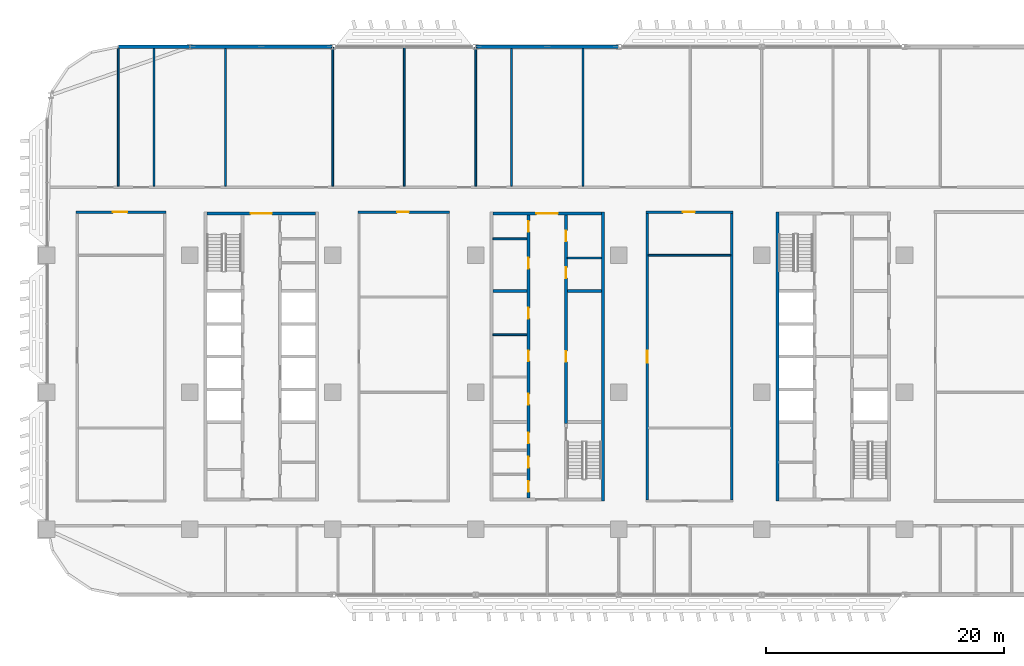
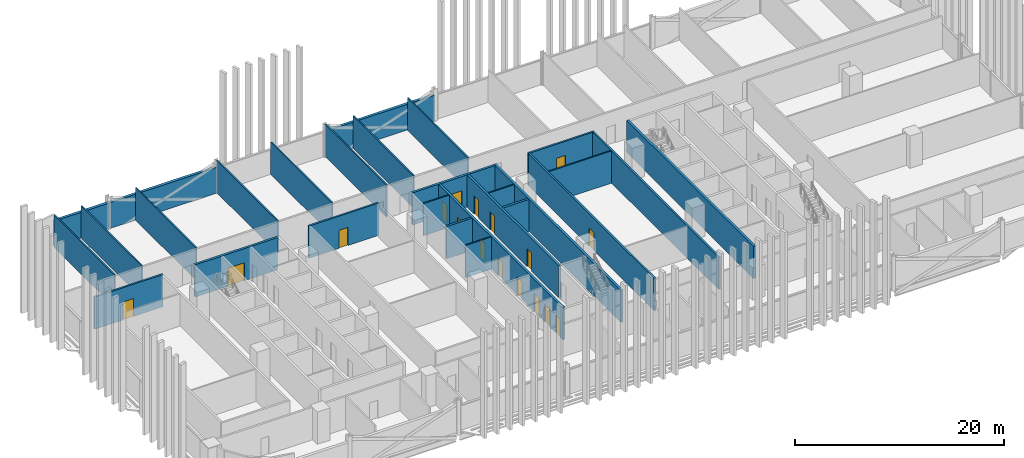
# One storey, part 14 of 31: 28 walls, 17 doors, 17 openings.
"""IFC4 building model written with IfcOpenShell, lengths in metres."""

from ifc_helpers import new_model, si_unit, direction, frame, frame_2d, origin, place, context, subcontext, project, spatial, rectangle, extrude, material, layer, layer_set, type_object, element, fill, save


model = new_model("IFC4")

# Units and contexts
model_context = context("Model", 3, precision=1e-05, world=origin(), true_north=direction((0.0, 1.0)))
body_context = subcontext(model_context, "Body", "Model", "MODEL_VIEW")
ifc_project = project(units=[si_unit("LENGTHUNIT", "METRE"), si_unit("AREAUNIT", "SQUARE_METRE"), si_unit("VOLUMEUNIT", "CUBIC_METRE"), si_unit("PLANEANGLEUNIT", "RADIAN"), si_unit("MASSUNIT", "GRAM", prefix="KILO")], contexts=[model_context])

# Site, building, storey
site_placement = place(None, origin())
site = spatial("IfcSite", under=ifc_project, at=site_placement, CompositionType="ELEMENT")
building_placement = place(site_placement, origin())
building = spatial("IfcBuilding", under=site, at=building_placement, Name="Mahtab Terrace Research Tower", CompositionType="ELEMENT")
storey_placement = place(building_placement, frame((0.0, 0.0, 101.199951171875)))
storey = spatial("IfcBuildingStorey", under=building, at=storey_placement, Name="L23", CompositionType="ELEMENT", Elevation=101.199951171875)

# Walls
ifc_material_1 = material(Name="Gypsum board partition")
ifc_layer_1 = layer(ifc_material_1, 0.14990234375)
ifc_layer_set_1 = layer_set([ifc_layer_1], Name="Core partition 150")
wall_type_1 = type_object("IfcWallType", Name="Core partition 150", PredefinedType="PARTITIONING", material=ifc_layer_set_1)
for number, where, z_axis, x_axis, name in (
    (1, (-4.550048828125, 4.827392578125, 0.0), (0.0, 0.0, 1.0), (1.0, 0.0, 0.0), "Core wall B pWL183"),
    (2, (-4.550048828125, 12.875, 0.0), (0.0, 0.0, 1.0), (1.0, 0.0, 0.0), "Core wall B pWN988"),
    (3, (1.699951171875, 11.27490234375, 0.0), (0.0, 0.0, 1.0), (1.0, 0.0, 0.0), "Core wall B pEN828"),
):
    element("IfcWall", number, at=place(storey_placement, frame(where, z_axis=z_axis, x_axis=x_axis)), inside=storey, type_object=wall_type_1, Name=name, PredefinedType="PARTITIONING", context=body_context, shape_type="SweptSolid", body=[
        extrude(rectangle(XDim=2.85009765625, YDim=0.14990234375, at=frame_2d((1.425048828125, 0.0))), origin(), (0.0, 0.0, 1.0), 3.760009765625),
    ])

# Wall, opening, door
ifc_material_2 = material(Name="Concrete C70/85", Category="concrete")
ifc_layer_2 = layer(ifc_material_2, 0.25)
ifc_layer_set_2 = layer_set([ifc_layer_2], Name="Core wall 250")
wall_type_2 = type_object("IfcWallType", Name="Core wall 250", PredefinedType="SOLIDWALL", material=ifc_layer_set_2)
wall_1_placement = place(storey_placement, frame((-28.550048828125, 15.0, 0.0), z_axis=(0.0, 0.0, 1.0), x_axis=(1.0, 0.0, 0.0)))
wall_1 = element("IfcWall", 4, at=wall_1_placement, inside=storey, type_object=wall_type_2, Name="Core wall A endN", PredefinedType="SOLIDWALL", context=body_context, shape_type="SweptSolid", body=[
    extrude(rectangle(XDim=9.10009765625, YDim=0.25, at=frame_2d((4.550048828125, 0.0))), origin(), (0.0, 0.0, 1.0), 3.760009765625),
])
opening_1_placement = place(wall_1_placement, frame((3.64990234375, 0.0, 0.0)))
opening_1 = element("IfcOpeningElement", 5, at=opening_1_placement, cuts=wall_1, Name="Opening A-N1", PredefinedType="OPENING", context=body_context, shape_type="SweptSolid", body=[
    extrude(rectangle(XDim=1.800048828125, YDim=2.10009765625, at=frame_2d((0.89990234375, 1.050048828125))), frame((0.0, 0.135009765625, 0.0), z_axis=(0.0, -1.0, 0.0), x_axis=(1.0, 0.0, 0.0)), (0.0, 0.0, 1.0), 0.27001953125),
])
ifc_material_3 = material(Name="Steel fire door", Category="steel")
door_type_1 = type_object("IfcDoorType", Name="Lobby double door 1800x2100 1 HR", OperationType="DOUBLE_DOOR_SINGLE_SWING", PredefinedType="DOOR", material=ifc_material_3)
door_1_placement = place(opening_1_placement, origin())
door_1 = element("IfcDoor", 6, at=door_1_placement, inside=storey, type_object=door_type_1, Name="Core entrance door A N", OperationType="DOUBLE_DOOR_SINGLE_SWING", OverallHeight=2.10009765625, OverallWidth=1.800048828125, PredefinedType="DOOR", context=body_context, shape_type="SweptSolid", body=[
    extrude(rectangle(XDim=1.800048828125, YDim=2.10009765625, at=frame_2d((0.89990234375, 1.050048828125))), frame((0.0, 0.02490234375, 0.0), z_axis=(0.0, -1.0, 0.0), x_axis=(1.0, 0.0, 0.0)), (0.0, 0.0, 1.0), 0.050048828125),
])
fill(opening_1, door_1)

# Wall
wall_2_placement = place(storey_placement, frame((4.675048828125, -9.125, 0.0), z_axis=(0.0, 0.0, 1.0), x_axis=(0.0, 1.0, 0.0)))
element("IfcWall", 7, at=wall_2_placement, inside=storey, type_object=wall_type_2, Name="Core wall B outerE", PredefinedType="SOLIDWALL", context=body_context, shape_type="SweptSolid", body=[
    extrude(rectangle(XDim=24.25, YDim=0.25, at=frame_2d((12.125, 0.0))), origin(), (0.0, 0.0, 1.0), 3.760009765625),
])

# Wall, opening, door
wall_3_placement = place(storey_placement, frame((-4.550048828125, 15.0, 0.0), z_axis=(0.0, 0.0, 1.0), x_axis=(1.0, 0.0, 0.0)))
wall_3 = element("IfcWall", 8, at=wall_3_placement, inside=storey, type_object=wall_type_2, Name="Core wall B endN", PredefinedType="SOLIDWALL", context=body_context, shape_type="SweptSolid", body=[
    extrude(rectangle(XDim=9.10009765625, YDim=0.25, at=frame_2d((4.550048828125, 0.0))), origin(), (0.0, 0.0, 1.0), 3.760009765625),
])
opening_2_placement = place(wall_3_placement, frame((3.64990234375, 0.0, 0.0)))
opening_2 = element("IfcOpeningElement", 9, at=opening_2_placement, cuts=wall_3, Name="Opening B-N1", PredefinedType="OPENING", context=body_context, shape_type="SweptSolid", body=[
    extrude(rectangle(XDim=1.800048828125, YDim=2.10009765625, at=frame_2d((0.89990234375, 1.050048828125))), frame((0.0, 0.135009765625, 0.0), z_axis=(0.0, -1.0, 0.0), x_axis=(1.0, 0.0, 0.0)), (0.0, 0.0, 1.0), 0.27001953125),
])
door_2_placement = place(opening_2_placement, origin())
door_2 = element("IfcDoor", 10, at=door_2_placement, inside=storey, type_object=door_type_1, Name="Core entrance door B N", OperationType="DOUBLE_DOOR_SINGLE_SWING", OverallHeight=2.10009765625, OverallWidth=1.800048828125, PredefinedType="DOOR", context=body_context, shape_type="SweptSolid", body=[
    extrude(rectangle(XDim=1.800048828125, YDim=2.10009765625, at=frame_2d((0.89990234375, 1.050048828125))), frame((0.0, 0.02490234375, 0.0), z_axis=(0.0, -1.0, 0.0), x_axis=(1.0, 0.0, 0.0)), (0.0, 0.0, 1.0), 0.050048828125),
])
fill(opening_2, door_2)

# Wall, openings, doors
wall_4_placement = place(storey_placement, frame((-1.574951171875, -8.875, 0.0), z_axis=(0.0, 0.0, 1.0), x_axis=(0.0, 1.0, 0.0)))
wall_4 = element("IfcWall", 11, at=wall_4_placement, inside=storey, type_object=wall_type_2, Name="Core wall B innerWSLN", PredefinedType="SOLIDWALL", context=body_context, shape_type="SweptSolid", body=[
    extrude(rectangle(XDim=23.75, YDim=0.25, at=frame_2d((11.875, 0.0))), origin(), (0.0, 0.0, 1.0), 3.760009765625),
])
opening_3_placement = place(wall_4_placement, frame((7.840087890625, 0.0, 0.0)))
opening_3 = element("IfcOpeningElement", 12, at=opening_3_placement, cuts=wall_4, Name="Opening B-R1", PredefinedType="OPENING", context=body_context, shape_type="SweptSolid", body=[
    extrude(rectangle(XDim=0.89990234375, YDim=2.10009765625, at=frame_2d((0.449951171875, 1.050048828125))), frame((0.0, 0.135009765625, 0.0), z_axis=(0.0, -1.0, 0.0), x_axis=(1.0, 0.0, 0.0)), (0.0, 0.0, 1.0), 0.27001953125),
])
opening_4_placement = place(wall_4_placement, frame((11.478759765625, 0.0, 0.0)))
opening_4 = element("IfcOpeningElement", 13, at=opening_4_placement, cuts=wall_4, Name="Opening B-R2", PredefinedType="OPENING", context=body_context, shape_type="SweptSolid", body=[
    extrude(rectangle(XDim=0.89990234375, YDim=2.10009765625, at=frame_2d((0.449951171875, 1.050048828125))), frame((0.0, 0.135009765625, 0.0), z_axis=(0.0, -1.0, 0.0), x_axis=(1.0, 0.0, 0.0)), (0.0, 0.0, 1.0), 0.27001953125),
])
opening_5_placement = place(wall_4_placement, frame((15.063720703125, 0.0, 0.0)))
opening_5 = element("IfcOpeningElement", 14, at=opening_5_placement, cuts=wall_4, Name="Opening B-R3", PredefinedType="OPENING", context=body_context, shape_type="SweptSolid", body=[
    extrude(rectangle(XDim=0.89990234375, YDim=2.10009765625, at=frame_2d((0.449951171875, 1.050048828125))), frame((0.0, 0.135009765625, 0.0), z_axis=(0.0, -1.0, 0.0), x_axis=(1.0, 0.0, 0.0)), (0.0, 0.0, 1.0), 0.27001953125),
])
opening_6_placement = place(wall_4_placement, frame((0.512451171875, 0.0, 0.0)))
opening_6 = element("IfcOpeningElement", 15, at=opening_6_placement, cuts=wall_4, Name="Opening B-R5", PredefinedType="OPENING", context=body_context, shape_type="SweptSolid", body=[
    extrude(rectangle(XDim=0.89990234375, YDim=2.10009765625, at=frame_2d((0.449951171875, 1.050048828125))), frame((0.0, 0.135009765625, 0.0), z_axis=(0.0, -1.0, 0.0), x_axis=(1.0, 0.0, 0.0)), (0.0, 0.0, 1.0), 0.27001953125),
])
opening_7_placement = place(wall_4_placement, frame((2.550048828125, 0.0, 0.0)))
opening_7 = element("IfcOpeningElement", 16, at=opening_7_placement, cuts=wall_4, Name="Opening B-R6", PredefinedType="OPENING", context=body_context, shape_type="SweptSolid", body=[
    extrude(rectangle(XDim=0.89990234375, YDim=2.10009765625, at=frame_2d((0.449951171875, 1.050048828125))), frame((0.0, 0.135009765625, 0.0), z_axis=(0.0, -1.0, 0.0), x_axis=(1.0, 0.0, 0.0)), (0.0, 0.0, 1.0), 0.27001953125),
])
opening_8_placement = place(wall_4_placement, frame((4.58740234375, 0.0, 0.0)))
opening_8 = element("IfcOpeningElement", 17, at=opening_8_placement, cuts=wall_4, Name="Opening B-R7", PredefinedType="OPENING", context=body_context, shape_type="SweptSolid", body=[
    extrude(rectangle(XDim=0.89990234375, YDim=2.10009765625, at=frame_2d((0.449951171875, 1.050048828125))), frame((0.0, 0.135009765625, 0.0), z_axis=(0.0, -1.0, 0.0), x_axis=(1.0, 0.0, 0.0)), (0.0, 0.0, 1.0), 0.27001953125),
])
opening_9_placement = place(wall_4_placement, frame((19.262451171875, 0.0, 0.0)))
opening_9 = element("IfcOpeningElement", 18, at=opening_9_placement, cuts=wall_4, Name="Opening B-R8", PredefinedType="OPENING", context=body_context, shape_type="SweptSolid", body=[
    extrude(rectangle(XDim=0.89990234375, YDim=2.10009765625, at=frame_2d((0.449951171875, 1.050048828125))), frame((0.0, 0.135009765625, 0.0), z_axis=(0.0, -1.0, 0.0), x_axis=(1.0, 0.0, 0.0)), (0.0, 0.0, 1.0), 0.27001953125),
])
opening_10_placement = place(wall_4_placement, frame((22.33740234375, 0.0, 0.0)))
opening_10 = element("IfcOpeningElement", 19, at=opening_10_placement, cuts=wall_4, Name="Opening B-R9", PredefinedType="OPENING", context=body_context, shape_type="SweptSolid", body=[
    extrude(rectangle(XDim=0.89990234375, YDim=2.10009765625, at=frame_2d((0.449951171875, 1.050048828125))), frame((0.0, 0.135009765625, 0.0), z_axis=(0.0, -1.0, 0.0), x_axis=(1.0, 0.0, 0.0)), (0.0, 0.0, 1.0), 0.27001953125),
])
door_type_2 = type_object("IfcDoorType", Name="Room door 900x2100 1 HR", OperationType="NOTDEFINED", PredefinedType="DOOR", material=ifc_material_3)
door_3_placement = place(opening_3_placement, origin())
door_3 = element("IfcDoor", 20, at=door_3_placement, inside=storey, type_object=door_type_2, Name="Battery room door", OperationType="SINGLE_SWING_LEFT", OverallHeight=2.10009765625, OverallWidth=0.89990234375, PredefinedType="DOOR", context=body_context, shape_type="SweptSolid", body=[
    extrude(rectangle(XDim=0.89990234375, YDim=2.10009765625, at=frame_2d((0.449951171875, 1.050048828125))), frame((0.0, 0.02490234375, 0.0), z_axis=(0.0, -1.0, 0.0), x_axis=(1.0, 0.0, 0.0)), (0.0, 0.0, 1.0), 0.050048828125),
])
fill(opening_3, door_3)
door_4_placement = place(opening_4_placement, origin())
door_4 = element("IfcDoor", 21, at=door_4_placement, inside=storey, type_object=door_type_2, Name="Cooling plant room door", OperationType="SINGLE_SWING_RIGHT", OverallHeight=2.10009765625, OverallWidth=0.89990234375, PredefinedType="DOOR", context=body_context, shape_type="SweptSolid", body=[
    extrude(rectangle(XDim=0.89990234375, YDim=2.10009765625, at=frame_2d((0.449951171875, 1.050048828125))), frame((0.0, 0.02490234375, 0.0), z_axis=(0.0, -1.0, 0.0), x_axis=(1.0, 0.0, 0.0)), (0.0, 0.0, 1.0), 0.050048828125),
])
fill(opening_4, door_4)
door_5_placement = place(opening_5_placement, origin())
door_5 = element("IfcDoor", 22, at=door_5_placement, inside=storey, type_object=door_type_2, Name="Spare parts store door", OperationType="SINGLE_SWING_LEFT", OverallHeight=2.10009765625, OverallWidth=0.89990234375, PredefinedType="DOOR", context=body_context, shape_type="SweptSolid", body=[
    extrude(rectangle(XDim=0.89990234375, YDim=2.10009765625, at=frame_2d((0.449951171875, 1.050048828125))), frame((0.0, 0.02490234375, 0.0), z_axis=(0.0, -1.0, 0.0), x_axis=(1.0, 0.0, 0.0)), (0.0, 0.0, 1.0), 0.050048828125),
])
fill(opening_5, door_5)
door_6_placement = place(opening_6_placement, origin())
door_6 = element("IfcDoor", 23, at=door_6_placement, inside=storey, type_object=door_type_2, Name="Comms riser room door", OperationType="SINGLE_SWING_LEFT", OverallHeight=2.10009765625, OverallWidth=0.89990234375, PredefinedType="DOOR", context=body_context, shape_type="SweptSolid", body=[
    extrude(rectangle(XDim=0.89990234375, YDim=2.10009765625, at=frame_2d((0.449951171875, 1.050048828125))), frame((0.0, 0.02490234375, 0.0), z_axis=(0.0, -1.0, 0.0), x_axis=(1.0, 0.0, 0.0)), (0.0, 0.0, 1.0), 0.050048828125),
])
fill(opening_6, door_6)
door_7_placement = place(opening_7_placement, origin())
door_7 = element("IfcDoor", 24, at=door_7_placement, inside=storey, type_object=door_type_2, Name="Pantry door", OperationType="SINGLE_SWING_RIGHT", OverallHeight=2.10009765625, OverallWidth=0.89990234375, PredefinedType="DOOR", context=body_context, shape_type="SweptSolid", body=[
    extrude(rectangle(XDim=0.89990234375, YDim=2.10009765625, at=frame_2d((0.449951171875, 1.050048828125))), frame((0.0, 0.02490234375, 0.0), z_axis=(0.0, -1.0, 0.0), x_axis=(1.0, 0.0, 0.0)), (0.0, 0.0, 1.0), 0.050048828125),
])
fill(opening_7, door_7)
door_8_placement = place(opening_8_placement, origin())
door_8 = element("IfcDoor", 25, at=door_8_placement, inside=storey, type_object=door_type_2, Name="Cleaners store door", OperationType="SINGLE_SWING_LEFT", OverallHeight=2.10009765625, OverallWidth=0.89990234375, PredefinedType="DOOR", context=body_context, shape_type="SweptSolid", body=[
    extrude(rectangle(XDim=0.89990234375, YDim=2.10009765625, at=frame_2d((0.449951171875, 1.050048828125))), frame((0.0, 0.02490234375, 0.0), z_axis=(0.0, -1.0, 0.0), x_axis=(1.0, 0.0, 0.0)), (0.0, 0.0, 1.0), 0.050048828125),
])
fill(opening_8, door_8)
door_9_placement = place(opening_9_placement, origin())
door_9 = element("IfcDoor", 26, at=door_9_placement, inside=storey, type_object=door_type_2, Name="IT equipment room door", OperationType="SINGLE_SWING_RIGHT", OverallHeight=2.10009765625, OverallWidth=0.89990234375, PredefinedType="DOOR", context=body_context, shape_type="SweptSolid", body=[
    extrude(rectangle(XDim=0.89990234375, YDim=2.10009765625, at=frame_2d((0.449951171875, 1.050048828125))), frame((0.0, 0.02490234375, 0.0), z_axis=(0.0, -1.0, 0.0), x_axis=(1.0, 0.0, 0.0)), (0.0, 0.0, 1.0), 0.050048828125),
])
fill(opening_9, door_9)
door_10_placement = place(opening_10_placement, origin())
door_10 = element("IfcDoor", 27, at=door_10_placement, inside=storey, type_object=door_type_2, Name="Electrical riser room door", OperationType="SINGLE_SWING_LEFT", OverallHeight=2.10009765625, OverallWidth=0.89990234375, PredefinedType="DOOR", context=body_context, shape_type="SweptSolid", body=[
    extrude(rectangle(XDim=0.89990234375, YDim=2.10009765625, at=frame_2d((0.449951171875, 1.050048828125))), frame((0.0, 0.02490234375, 0.0), z_axis=(0.0, -1.0, 0.0), x_axis=(1.0, 0.0, 0.0)), (0.0, 0.0, 1.0), 0.050048828125),
])
fill(opening_10, door_10)

wall_5_placement = place(storey_placement, frame((1.574951171875, 14.875, 0.0), z_axis=(0.0, 0.0, 1.0), x_axis=(0.0, -1.0, 0.0)))
wall_5 = element("IfcWall", 28, at=wall_5_placement, inside=storey, type_object=wall_type_2, Name="Core wall B innerELN", PredefinedType="SOLIDWALL", context=body_context, shape_type="SweptSolid", body=[
    extrude(rectangle(XDim=17.5, YDim=0.25, at=frame_2d((8.75, 0.0))), origin(), (0.0, 0.0, 1.0), 3.760009765625),
])
opening_11_placement = place(wall_5_placement, frame((11.425048828125, 0.0, 0.0)))
opening_11 = element("IfcOpeningElement", 29, at=opening_11_placement, cuts=wall_5, Name="Opening B-R4", PredefinedType="OPENING", context=body_context, shape_type="SweptSolid", body=[
    extrude(rectangle(XDim=0.89990234375, YDim=2.10009765625, at=frame_2d((0.449951171875, 1.050048828125))), frame((0.0, 0.135009765625, 0.0), z_axis=(0.0, -1.0, 0.0), x_axis=(1.0, 0.0, 0.0)), (0.0, 0.0, 1.0), 0.27001953125),
])
opening_12_placement = place(wall_5_placement, frame((4.387451171875, 0.0, 0.0)))
opening_12 = element("IfcOpeningElement", 30, at=opening_12_placement, cuts=wall_5, Name="Opening B-R10", PredefinedType="OPENING", context=body_context, shape_type="SweptSolid", body=[
    extrude(rectangle(XDim=0.89990234375, YDim=2.10009765625, at=frame_2d((0.449951171875, 1.050048828125))), frame((0.0, 0.135009765625, 0.0), z_axis=(0.0, -1.0, 0.0), x_axis=(1.0, 0.0, 0.0)), (0.0, 0.0, 1.0), 0.27001953125),
])
opening_13_placement = place(wall_5_placement, frame((1.3125, 0.0, 0.0)))
opening_13 = element("IfcOpeningElement", 31, at=opening_13_placement, cuts=wall_5, Name="Opening B-R11", PredefinedType="OPENING", context=body_context, shape_type="SweptSolid", body=[
    extrude(rectangle(XDim=0.89990234375, YDim=2.10009765625, at=frame_2d((0.449951171875, 1.050048828125))), frame((0.0, 0.135009765625, 0.0), z_axis=(0.0, -1.0, 0.0), x_axis=(1.0, 0.0, 0.0)), (0.0, 0.0, 1.0), 0.27001953125),
])
door_11_placement = place(opening_11_placement, origin())
door_11 = element("IfcDoor", 32, at=door_11_placement, inside=storey, type_object=door_type_2, Name="Plant room door", OperationType="SINGLE_SWING_RIGHT", OverallHeight=2.10009765625, OverallWidth=0.89990234375, PredefinedType="DOOR", context=body_context, shape_type="SweptSolid", body=[
    extrude(rectangle(XDim=0.89990234375, YDim=2.10009765625, at=frame_2d((0.449951171875, 1.050048828125))), frame((0.0, 0.02490234375, 0.0), z_axis=(0.0, -1.0, 0.0), x_axis=(1.0, 0.0, 0.0)), (0.0, 0.0, 1.0), 0.050048828125),
])
fill(opening_11, door_11)
door_12_placement = place(opening_12_placement, origin())
door_12 = element("IfcDoor", 33, at=door_12_placement, inside=storey, type_object=door_type_2, Name="Accessible WC door", OperationType="SINGLE_SWING_RIGHT", OverallHeight=2.10009765625, OverallWidth=0.89990234375, PredefinedType="DOOR", context=body_context, shape_type="SweptSolid", body=[
    extrude(rectangle(XDim=0.89990234375, YDim=2.10009765625, at=frame_2d((0.449951171875, 1.050048828125))), frame((0.0, 0.02490234375, 0.0), z_axis=(0.0, -1.0, 0.0), x_axis=(1.0, 0.0, 0.0)), (0.0, 0.0, 1.0), 0.050048828125),
])
fill(opening_12, door_12)
door_13_placement = place(opening_13_placement, origin())
door_13 = element("IfcDoor", 34, at=door_13_placement, inside=storey, type_object=door_type_2, Name="WC block door", OperationType="SINGLE_SWING_LEFT", OverallHeight=2.10009765625, OverallWidth=0.89990234375, PredefinedType="DOOR", context=body_context, shape_type="SweptSolid", body=[
    extrude(rectangle(XDim=0.89990234375, YDim=2.10009765625, at=frame_2d((0.449951171875, 1.050048828125))), frame((0.0, 0.02490234375, 0.0), z_axis=(0.0, -1.0, 0.0), x_axis=(1.0, 0.0, 0.0)), (0.0, 0.0, 1.0), 0.050048828125),
])
fill(opening_13, door_13)

# Walls
for number, where, z_axis, x_axis, name in (
    (35, (-4.550048828125, 8.5, 0.0), (0.0, 0.0, 1.0), (1.0, 0.0, 0.0), "Core wall B divW4"),
    (36, (1.699951171875, 8.5, 0.0), (0.0, 0.0, 1.0), (1.0, 0.0, 0.0), "Core wall B divE4"),
):
    element("IfcWall", number, at=place(storey_placement, frame(where, z_axis=z_axis, x_axis=x_axis)), inside=storey, type_object=wall_type_2, Name=name, PredefinedType="SOLIDWALL", context=body_context, shape_type="SweptSolid", body=[
        extrude(rectangle(XDim=2.85009765625, YDim=0.25, at=frame_2d((1.425048828125, 0.0))), origin(), (0.0, 0.0, 1.0), 3.760009765625),
    ])
wall_6_placement = place(storey_placement, frame((19.324951171875, 15.125, 0.0), z_axis=(0.0, 0.0, 1.0), x_axis=(0.0, -1.0, 0.0)))
element("IfcWall", 37, at=wall_6_placement, inside=storey, type_object=wall_type_2, Name="Core wall C outerW", PredefinedType="SOLIDWALL", context=body_context, shape_type="SweptSolid", body=[
    extrude(rectangle(XDim=24.25, YDim=0.25, at=frame_2d((12.125, 0.0))), origin(), (0.0, 0.0, 1.0), 3.760009765625),
])
ifc_material_4 = material(Name="Black aluminium cladding panel", Category="aluminium")
ifc_layer_3 = layer(ifc_material_4, 0.300048828125)
ifc_layer_set_3 = layer_set([ifc_layer_3], Name="Opaque facade wall 300")
wall_type_3 = type_object("IfcWallType", Name="Opaque facade wall 300", PredefinedType="NOTDEFINED", material=ifc_layer_set_3)
for number, where, z_axis, x_axis, name in (
    (38, (5.97900390625, 29.0, 0.0), (0.0, 0.0, 1.0), (-1.0, 0.0, 0.0), "Opaque facade wall L23 N7"),
    (39, (-18.02099609375, 29.0, 0.0), (0.0, 0.0, 1.0), (-1.0, 0.0, 0.0), "Opaque facade wall L23 N9"),
):
    element("IfcWall", number, at=place(storey_placement, frame(where, z_axis=z_axis, x_axis=x_axis)), inside=storey, type_object=wall_type_3, Name=name, PredefinedType="NOTDEFINED", context=body_context, shape_type="SweptSolid", body=[
        extrude(rectangle(XDim=11.9580078125, YDim=0.300048828125, at=frame_2d((5.97900390625, 0.0))), origin(), (0.0, 0.0, 1.0), 3.003173828125),
    ])
wall_7_placement = place(storey_placement, frame((-30.02099609375, 29.0, 0.0), z_axis=(0.0, 0.0, 1.0), x_axis=(-1.0, 0.0, 0.0)))
element("IfcWall", 40, at=wall_7_placement, inside=storey, type_object=wall_type_3, Name="Opaque facade wall L23 N10", PredefinedType="NOTDEFINED", context=body_context, shape_type="SweptSolid", body=[
    extrude(rectangle(XDim=5.97900390625, YDim=0.300048828125, at=frame_2d((2.989501953125, 0.0))), origin(), (0.0, 0.0, 1.0), 3.003173828125),
])

# Wall, opening, door
ifc_material_5 = material(Name="Gypsum board corridor wall on steel studs", Category="steel")
ifc_layer_4 = layer(ifc_material_5, 0.199951171875)
ifc_layer_set_4 = layer_set([ifc_layer_4], Name="WALL CORRIDOR 200")
wall_type_4 = type_object("IfcWallType", Name="WALL CORRIDOR 200", PredefinedType="PARTITIONING", material=ifc_layer_set_4)
wall_8_placement = place(storey_placement, frame((-39.550048828125, 15.125, 0.0), z_axis=(0.0, 0.0, 1.0), x_axis=(1.0, 0.0, 0.0)))
wall_8 = element("IfcWall", 41, at=wall_8_placement, inside=storey, type_object=wall_type_4, Name="L23-W022", PredefinedType="PARTITIONING", context=body_context, shape_type="SweptSolid", body=[
    extrude(rectangle(XDim=7.550048828125, YDim=0.199951171875, at=frame_2d((3.77490234375, 0.0))), origin(), (0.0, 0.0, 1.0), 3.760009765625),
])
opening_14_placement = place(wall_8_placement, frame((3.10009765625, 0.0, 0.0)))
opening_14 = element("IfcOpeningElement", 42, at=opening_14_placement, cuts=wall_8, Name="Opening L23-124", PredefinedType="OPENING", context=body_context, shape_type="SweptSolid", body=[
    extrude(rectangle(XDim=1.199951171875, YDim=2.10009765625, at=frame_2d((0.60009765625, 1.050048828125))), frame((0.0, 0.10986328125, 0.0), z_axis=(0.0, -1.0, 0.0), x_axis=(1.0, 0.0, 0.0)), (0.0, 0.0, 1.0), 0.219970703125),
])
ifc_material_6 = material(Name="Timber door leaf in steel frame", Category="steel")
door_type_3 = type_object("IfcDoorType", Name="DOOR 1200X2100 FD30S", OperationType="SINGLE_SWING_LEFT", PredefinedType="DOOR", material=ifc_material_6)
door_14_placement = place(opening_14_placement, origin())
door_14 = element("IfcDoor", 43, at=door_14_placement, inside=storey, type_object=door_type_3, Name="Door L23-124", OperationType="SINGLE_SWING_RIGHT", OverallHeight=2.10009765625, OverallWidth=1.199951171875, PredefinedType="DOOR", context=body_context, shape_type="SweptSolid", body=[
    extrude(rectangle(XDim=1.199951171875, YDim=2.10009765625, at=frame_2d((0.60009765625, 1.050048828125))), frame((0.0, 0.02490234375, 0.0), z_axis=(0.0, -1.0, 0.0), x_axis=(1.0, 0.0, 0.0)), (0.0, 0.0, 1.0), 0.050048828125),
])
fill(opening_14, door_14)

wall_9_placement = place(storey_placement, frame((-15.89990234375, 15.125, 0.0), z_axis=(0.0, 0.0, 1.0), x_axis=(1.0, 0.0, 0.0)))
wall_9 = element("IfcWall", 44, at=wall_9_placement, inside=storey, type_object=wall_type_4, Name="L23-W023", PredefinedType="PARTITIONING", context=body_context, shape_type="SweptSolid", body=[
    extrude(rectangle(XDim=7.699951171875, YDim=0.199951171875, at=frame_2d((3.85009765625, 0.0))), origin(), (0.0, 0.0, 1.0), 3.760009765625),
])
opening_15_placement = place(wall_9_placement, frame((3.300048828125, 0.0, 0.0)))
opening_15 = element("IfcOpeningElement", 45, at=opening_15_placement, cuts=wall_9, Name="Opening L23-122", PredefinedType="OPENING", context=body_context, shape_type="SweptSolid", body=[
    extrude(rectangle(XDim=1.0, YDim=2.10009765625, at=frame_2d((0.5, 1.050048828125))), frame((0.0, 0.10986328125, 0.0), z_axis=(0.0, -1.0, 0.0), x_axis=(1.0, 0.0, 0.0)), (0.0, 0.0, 1.0), 0.219970703125),
])
door_type_4 = type_object("IfcDoorType", Name="DOOR 1000X2100 FD30S", OperationType="SINGLE_SWING_LEFT", PredefinedType="DOOR", material=ifc_material_6)
door_15_placement = place(opening_15_placement, origin())
door_15 = element("IfcDoor", 46, at=door_15_placement, inside=storey, type_object=door_type_4, Name="Door L23-122", OperationType="SINGLE_SWING_RIGHT", OverallHeight=2.10009765625, OverallWidth=1.0, PredefinedType="DOOR", context=body_context, shape_type="SweptSolid", body=[
    extrude(rectangle(XDim=1.0, YDim=2.10009765625, at=frame_2d((0.5, 1.050048828125))), frame((0.0, 0.02490234375, 0.0), z_axis=(0.0, -1.0, 0.0), x_axis=(1.0, 0.0, 0.0)), (0.0, 0.0, 1.0), 0.050048828125),
])
fill(opening_15, door_15)

wall_10_placement = place(storey_placement, frame((8.300048828125, 15.125, 0.0), z_axis=(0.0, 0.0, 1.0), x_axis=(1.0, 0.0, 0.0)))
wall_10 = element("IfcWall", 47, at=wall_10_placement, inside=storey, type_object=wall_type_4, Name="L23-W024", PredefinedType="PARTITIONING", context=body_context, shape_type="SweptSolid", body=[
    extrude(rectangle(XDim=7.300048828125, YDim=0.199951171875, at=frame_2d((3.64990234375, 0.0))), origin(), (0.0, 0.0, 1.0), 3.760009765625),
])
opening_16_placement = place(wall_10_placement, frame((3.10009765625, 0.0, 0.0)))
opening_16 = element("IfcOpeningElement", 48, at=opening_16_placement, cuts=wall_10, Name="Opening L23-125", PredefinedType="OPENING", context=body_context, shape_type="SweptSolid", body=[
    extrude(rectangle(XDim=1.0, YDim=2.10009765625, at=frame_2d((0.5, 1.050048828125))), frame((0.0, 0.10986328125, 0.0), z_axis=(0.0, -1.0, 0.0), x_axis=(1.0, 0.0, 0.0)), (0.0, 0.0, 1.0), 0.219970703125),
])
door_16_placement = place(opening_16_placement, origin())
door_16 = element("IfcDoor", 49, at=door_16_placement, inside=storey, type_object=door_type_4, Name="Door L23-125", OperationType="SINGLE_SWING_RIGHT", OverallHeight=2.10009765625, OverallWidth=1.0, PredefinedType="DOOR", context=body_context, shape_type="SweptSolid", body=[
    extrude(rectangle(XDim=1.0, YDim=2.10009765625, at=frame_2d((0.5, 1.050048828125))), frame((0.0, 0.02490234375, 0.0), z_axis=(0.0, -1.0, 0.0), x_axis=(1.0, 0.0, 0.0)), (0.0, 0.0, 1.0), 0.050048828125),
])
fill(opening_16, door_16)

wall_11_placement = place(storey_placement, frame((8.39990234375, -9.02490234375, 0.0), z_axis=(0.0, 0.0, 1.0), x_axis=(0.0, 1.0, 0.0)))
wall_11 = element("IfcWall", 50, at=wall_11_placement, inside=storey, type_object=wall_type_4, Name="L23-W045", PredefinedType="PARTITIONING", context=body_context, shape_type="SweptSolid", body=[
    extrude(rectangle(XDim=24.0498046875, YDim=0.199951171875, at=frame_2d((12.02490234375, 0.0))), origin(), (0.0, 0.0, 1.0), 3.760009765625),
])
opening_17_placement = place(wall_11_placement, frame((11.5, 0.0, 0.0)))
opening_17 = element("IfcOpeningElement", 51, at=opening_17_placement, cuts=wall_11, Name="Opening L23-120", PredefinedType="OPENING", context=body_context, shape_type="SweptSolid", body=[
    extrude(rectangle(XDim=1.0, YDim=2.10009765625, at=frame_2d((0.5, 1.050048828125))), frame((0.0, 0.10986328125, 0.0), z_axis=(0.0, -1.0, 0.0), x_axis=(1.0, 0.0, 0.0)), (0.0, 0.0, 1.0), 0.219970703125),
])
door_17_placement = place(opening_17_placement, origin())
door_17 = element("IfcDoor", 52, at=door_17_placement, inside=storey, type_object=door_type_4, Name="Door L23-120", OperationType="SINGLE_SWING_RIGHT", OverallHeight=2.10009765625, OverallWidth=1.0, PredefinedType="DOOR", context=body_context, shape_type="SweptSolid", body=[
    extrude(rectangle(XDim=1.0, YDim=2.10009765625, at=frame_2d((0.5, 1.050048828125))), frame((0.0, 0.02490234375, 0.0), z_axis=(0.0, -1.0, 0.0), x_axis=(1.0, 0.0, 0.0)), (0.0, 0.0, 1.0), 0.050048828125),
])
fill(opening_17, door_17)

# Walls
wall_12_placement = place(storey_placement, frame((15.5, -9.02490234375, 0.0), z_axis=(0.0, 0.0, 1.0), x_axis=(0.0, 1.0, 0.0)))
element("IfcWall", 53, at=wall_12_placement, inside=storey, type_object=wall_type_4, Name="L23-W049", PredefinedType="PARTITIONING", context=body_context, shape_type="SweptSolid", body=[
    extrude(rectangle(XDim=24.0498046875, YDim=0.199951171875, at=frame_2d((12.02490234375, 0.0))), origin(), (0.0, 0.0, 1.0), 3.760009765625),
])
ifc_material_7 = material(Name="Gypsum board partition on steel studs", Category="steel")
ifc_layer_5 = layer(ifc_material_7, 0.14990234375)
ifc_layer_set_5 = layer_set([ifc_layer_5], Name="WALL PARTITION 150")
wall_type_5 = type_object("IfcWallType", Name="WALL PARTITION 150", PredefinedType="PARTITIONING", material=ifc_layer_set_5)
wall_13_placement = place(storey_placement, frame((8.5, 11.5, 0.0), z_axis=(0.0, 0.0, 1.0), x_axis=(1.0, 0.0, 0.0)))
element("IfcWall", 54, at=wall_13_placement, inside=storey, type_object=wall_type_5, Name="L23-W021", PredefinedType="PARTITIONING", context=body_context, shape_type="SweptSolid", body=[
    extrude(rectangle(XDim=6.89990234375, YDim=0.14990234375, at=frame_2d((3.449951171875, 0.0))), origin(), (0.0, 0.0, 1.0), 3.760009765625),
])
wall_14_placement = place(storey_placement, frame((-36.0, 17.300048828125, 0.0), z_axis=(0.0, 0.0, 1.0), x_axis=(0.0, 1.0, 0.0)))
element("IfcWall", 55, at=wall_14_placement, inside=storey, type_object=wall_type_5, Name="L23-W028", PredefinedType="PARTITIONING", context=body_context, shape_type="SweptSolid", body=[
    extrude(rectangle(XDim=11.547119140625, YDim=0.14990234375, at=frame_2d((5.7734375, 0.0))), origin(), (0.0, 0.0, 1.0), 3.760009765625),
])
for number, where, z_axis, x_axis, name in (
    (56, (-33.0, 17.300048828125, 0.0), (0.0, 0.0, 1.0), (0.0, 1.0, 0.0), "L23-W029"),
    (57, (-27.0, 17.300048828125, 0.0), (0.0, 0.0, 1.0), (0.0, 1.0, 0.0), "L23-W032"),
):
    element("IfcWall", number, at=place(storey_placement, frame(where, z_axis=z_axis, x_axis=x_axis)), inside=storey, type_object=wall_type_5, Name=name, PredefinedType="PARTITIONING", context=body_context, shape_type="SweptSolid", body=[
        extrude(rectangle(XDim=11.550048828125, YDim=0.14990234375, at=frame_2d((5.77490234375, 0.0))), origin(), (0.0, 0.0, 1.0), 3.760009765625),
    ])
for number, where, z_axis, x_axis, name in (
    (58, (-18.0, 17.300048828125, 0.0), (0.0, 0.0, 1.0), (0.0, 1.0, 0.0), "L23-W034"),
    (59, (-12.0, 17.300048828125, 0.0), (0.0, 0.0, 1.0), (0.0, 1.0, 0.0), "L23-W038"),
    (60, (-6.0, 17.300048828125, 0.0), (0.0, 0.0, 1.0), (0.0, 1.0, 0.0), "L23-W040"),
):
    element("IfcWall", number, at=place(storey_placement, frame(where, z_axis=z_axis, x_axis=x_axis)), inside=storey, type_object=wall_type_5, Name=name, PredefinedType="PARTITIONING", context=body_context, shape_type="SweptSolid", body=[
        extrude(rectangle(XDim=11.675048828125, YDim=0.14990234375, at=frame_2d((5.83740234375, 0.0))), origin(), (0.0, 0.0, 1.0), 3.760009765625),
    ])
for number, where, z_axis, x_axis, name in (
    (61, (-3.0, 17.300048828125, 0.0), (0.0, 0.0, 1.0), (0.0, 1.0, 0.0), "L23-W041"),
    (62, (3.0, 17.300048828125, 0.0), (0.0, 0.0, 1.0), (0.0, 1.0, 0.0), "L23-W043"),
):
    element("IfcWall", number, at=place(storey_placement, frame(where, z_axis=z_axis, x_axis=x_axis)), inside=storey, type_object=wall_type_5, Name=name, PredefinedType="PARTITIONING", context=body_context, shape_type="SweptSolid", body=[
        extrude(rectangle(XDim=11.550048828125, YDim=0.14990234375, at=frame_2d((5.77490234375, 0.0))), origin(), (0.0, 0.0, 1.0), 3.760009765625),
    ])

save(model, "model.ifc")
